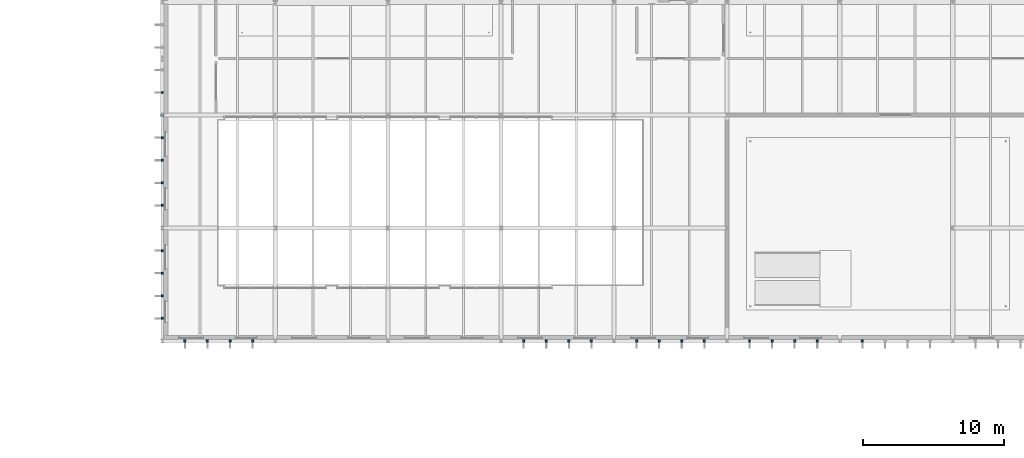
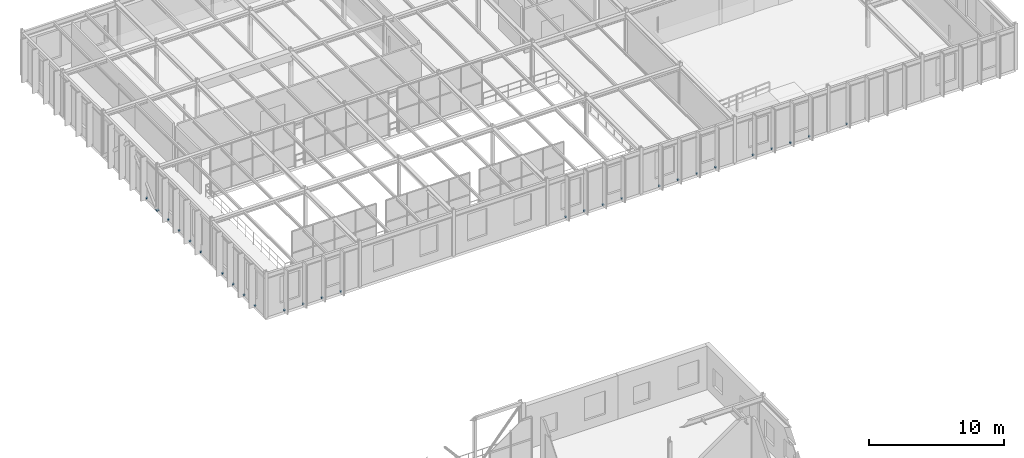
# One storey, part 110 of 124: 27 discrete accessories.
"""IFC4 building model written with IfcOpenShell, lengths in metres."""

from ifc_helpers import new_model, si_unit, direction, frame, origin, origin_2d, place, context, subcontext, project, spatial, rectangle, extrude, material, type_object, element, save


model = new_model("IFC4")

# Units and contexts
model_context = context("Model", 3, precision=1e-05, world=origin(), true_north=direction((0.0, 1.0)))
body_context = subcontext(model_context, "Body", "Model", "MODEL_VIEW")
ifc_project = project(units=[si_unit("LENGTHUNIT", "METRE"), si_unit("AREAUNIT", "SQUARE_METRE"), si_unit("VOLUMEUNIT", "CUBIC_METRE"), si_unit("PLANEANGLEUNIT", "RADIAN"), si_unit("MASSUNIT", "GRAM", prefix="KILO")], contexts=[model_context])

# Site, building, storey
site_placement = place(None, origin())
site = spatial("IfcSite", under=ifc_project, at=site_placement, CompositionType="ELEMENT")
building_placement = place(site_placement, origin())
building = spatial("IfcBuilding", under=site, at=building_placement, Name="Sundkrona Museum", CompositionType="ELEMENT")
storey_placement = place(building_placement, frame((0.0, 0.0, 17.60009765625)))
storey = spatial("IfcBuildingStorey", under=building, at=storey_placement, Name="L03", CompositionType="ELEMENT", Elevation=17.60009765625)

# Discrete accessories
ifc_material = material(Name="Stainless Steel EN 1.4404 Cleat", Category="steel")
discrete_accessory_type = type_object("IfcDiscreteAccessoryType", Name="BRK-FIN-01", PredefinedType="BRACKET", material=ifc_material)
discrete_accessory_placement = place(storey_placement, frame((16.0, 94.0, -0.012451171875), z_axis=(0.0, 0.0, 1.0), x_axis=(1.0, 0.0, 0.0)))
element("IfcDiscreteAccessory", 1, at=discrete_accessory_placement, inside=storey, type_object=discrete_accessory_type, Name="Brace and Strut End Connection Plate BR-L03-024A-1", PredefinedType="BRACKET", context=body_context, shape_type="SweptSolid", body=[
    extrude(rectangle(XDim=0.239990234375, YDim=0.239990234375, at=origin_2d()), origin(), (0.0, 0.0, 1.0), 0.02490234375),
])
for number, where, z_axis, x_axis, name in (
    (2, (17.60009765625, 78.0, 0.059814453125), (0.0, 0.0, 1.0), (1.0, 0.0, 0.0), "L03 Fin Bracket S-109"),
    (3, (19.199951171875, 78.0, 0.059814453125), (0.0, 0.0, 1.0), (1.0, 0.0, 0.0), "L03 Fin Bracket S-110"),
    (4, (20.800048828125, 78.0, 0.059814453125), (0.0, 0.0, 1.0), (1.0, 0.0, 0.0), "L03 Fin Bracket S-111"),
    (5, (22.39990234375, 78.0, 0.059814453125), (0.0, 0.0, 1.0), (1.0, 0.0, 0.0), "L03 Fin Bracket S-112"),
    (6, (41.60009765625, 78.0, 0.059814453125), (0.0, 0.0, 1.0), (1.0, 0.0, 0.0), "L03 Fin Bracket S-113"),
    (7, (43.199951171875, 78.0, 0.059814453125), (0.0, 0.0, 1.0), (1.0, 0.0, 0.0), "L03 Fin Bracket S-114"),
    (8, (44.800048828125, 78.0, 0.059814453125), (0.0, 0.0, 1.0), (1.0, 0.0, 0.0), "L03 Fin Bracket S-115"),
    (9, (46.39990234375, 78.0, 0.059814453125), (0.0, 0.0, 1.0), (1.0, 0.0, 0.0), "L03 Fin Bracket S-116"),
    (10, (49.60009765625, 78.0, 0.059814453125), (0.0, 0.0, 1.0), (1.0, 0.0, 0.0), "L03 Fin Bracket S-117"),
    (11, (51.199951171875, 78.0, 0.059814453125), (0.0, 0.0, 1.0), (1.0, 0.0, 0.0), "L03 Fin Bracket S-118"),
    (12, (52.800048828125, 78.0, 0.059814453125), (0.0, 0.0, 1.0), (1.0, 0.0, 0.0), "L03 Fin Bracket S-119"),
    (13, (54.39990234375, 78.0, 0.059814453125), (0.0, 0.0, 1.0), (1.0, 0.0, 0.0), "L03 Fin Bracket S-120"),
    (14, (57.60009765625, 78.0, 0.059814453125), (0.0, 0.0, 1.0), (1.0, 0.0, 0.0), "L03 Fin Bracket S-121"),
    (15, (59.199951171875, 78.0, 0.059814453125), (0.0, 0.0, 1.0), (1.0, 0.0, 0.0), "L03 Fin Bracket S-122"),
    (16, (60.800048828125, 78.0, 0.059814453125), (0.0, 0.0, 1.0), (1.0, 0.0, 0.0), "L03 Fin Bracket S-123"),
    (17, (62.39990234375, 78.0, 0.059814453125), (0.0, 0.0, 1.0), (1.0, 0.0, 0.0), "L03 Fin Bracket S-124"),
    (18, (65.60009765625, 78.0, 0.059814453125), (0.0, 0.0, 1.0), (1.0, 0.0, 0.0), "L03 Fin Bracket S-125"),
):
    element("IfcDiscreteAccessory", number, at=place(storey_placement, frame(where, z_axis=z_axis, x_axis=x_axis)), inside=storey, type_object=discrete_accessory_type, Name=name, PredefinedType="BRACKET", context=body_context, shape_type="SweptSolid", body=[
        extrude(rectangle(XDim=0.139892578125, YDim=0.159912109375, at=origin_2d()), origin(), (0.0, 0.0, 1.0), 0.1201171875),
    ])
for number, where, z_axis, x_axis, name in (
    (19, (16.0, 79.60009765625, 0.059814453125), (0.0, 0.0, 1.0), (1.0, 0.0, 0.0), "L03 Fin Bracket W-218"),
    (20, (16.0, 81.199951171875, 0.059814453125), (0.0, 0.0, 1.0), (1.0, 0.0, 0.0), "L03 Fin Bracket W-219"),
    (21, (16.0, 82.800048828125, 0.059814453125), (0.0, 0.0, 1.0), (1.0, 0.0, 0.0), "L03 Fin Bracket W-220"),
    (22, (16.0, 84.39990234375, 0.059814453125), (0.0, 0.0, 1.0), (1.0, 0.0, 0.0), "L03 Fin Bracket W-221"),
    (23, (16.0, 87.60009765625, 0.059814453125), (0.0, 0.0, 1.0), (1.0, 0.0, 0.0), "L03 Fin Bracket W-222"),
    (24, (16.0, 89.199951171875, 0.059814453125), (0.0, 0.0, 1.0), (1.0, 0.0, 0.0), "L03 Fin Bracket W-223"),
    (25, (16.0, 90.800048828125, 0.059814453125), (0.0, 0.0, 1.0), (1.0, 0.0, 0.0), "L03 Fin Bracket W-224"),
    (26, (16.0, 92.39990234375, 0.059814453125), (0.0, 0.0, 1.0), (1.0, 0.0, 0.0), "L03 Fin Bracket W-225"),
    (27, (16.0, 95.60009765625, 0.059814453125), (0.0, 0.0, 1.0), (1.0, 0.0, 0.0), "L03 Fin Bracket W-226"),
):
    element("IfcDiscreteAccessory", number, at=place(storey_placement, frame(where, z_axis=z_axis, x_axis=x_axis)), inside=storey, type_object=discrete_accessory_type, Name=name, PredefinedType="BRACKET", context=body_context, shape_type="SweptSolid", body=[
        extrude(rectangle(XDim=0.159912109375, YDim=0.139892578125, at=origin_2d()), origin(), (0.0, 0.0, 1.0), 0.1201171875),
    ])

save(model, "model.ifc")
